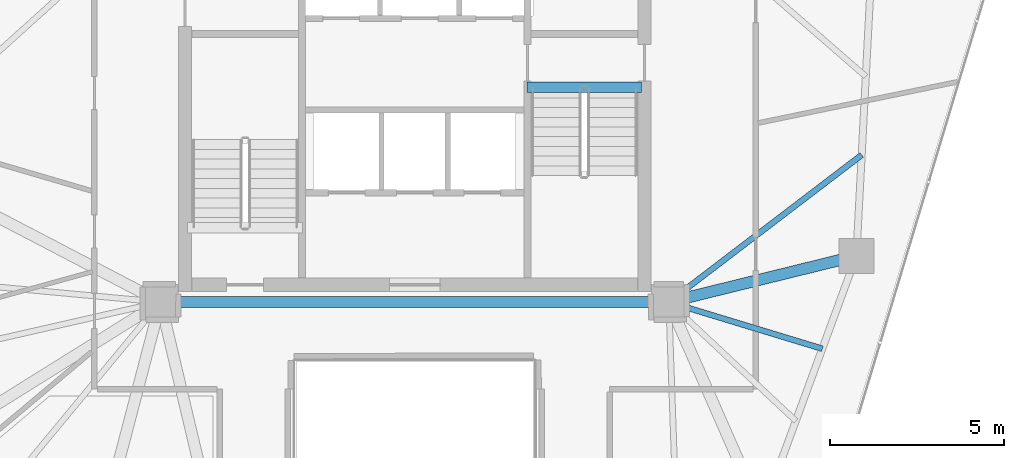
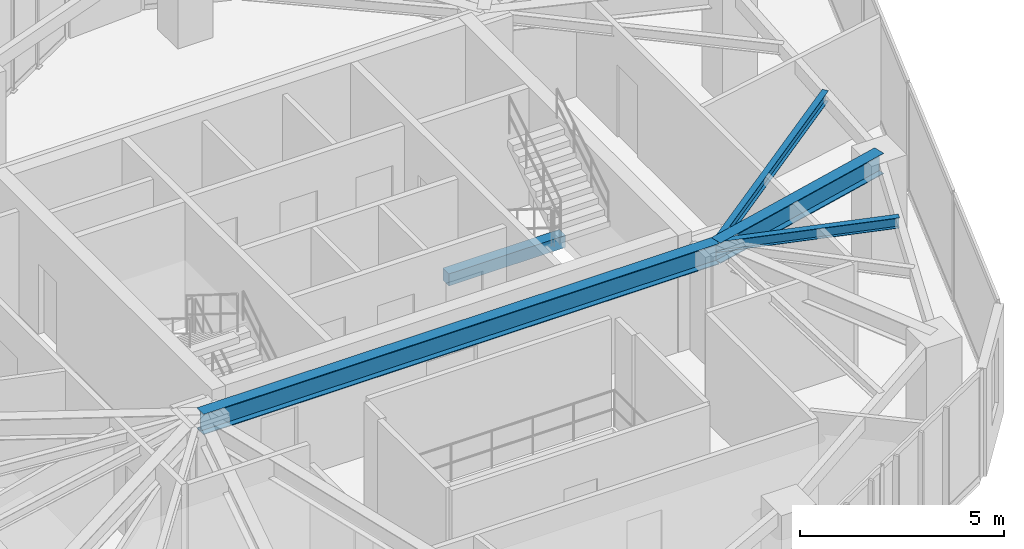
# One storey, part 8 of 19: 5 beams.
"""IFC4 building model written with IfcOpenShell, lengths in metres."""

from ifc_helpers import new_model, si_unit, direction, frame, origin, origin_2d, place, context, subcontext, project, spatial, rectangle, i_section, extrude, material, material_profile, profile_set, type_object, element, save


model = new_model("IFC4")

# Units and contexts
model_context = context("Model", 3, precision=1e-05, world=origin(), true_north=direction((0.0, 1.0)))
body_context = subcontext(model_context, "Body", "Model", "MODEL_VIEW")
ifc_project = project(units=[si_unit("LENGTHUNIT", "METRE"), si_unit("AREAUNIT", "SQUARE_METRE"), si_unit("VOLUMEUNIT", "CUBIC_METRE"), si_unit("PLANEANGLEUNIT", "RADIAN"), si_unit("MASSUNIT", "GRAM", prefix="KILO")], contexts=[model_context])

# Site, building, storey
site_placement = place(None, origin())
site = spatial("IfcSite", under=ifc_project, at=site_placement, CompositionType="ELEMENT")
building_placement = place(site_placement, origin())
building = spatial("IfcBuilding", under=site, at=building_placement, Name="Talar Marvaseh", CompositionType="ELEMENT")
storey_placement = place(building_placement, frame((0.0, 0.0, 177.5)))
storey = spatial("IfcBuildingStorey", under=building, at=storey_placement, Name="L46", CompositionType="ELEMENT", Elevation=177.5)

# Beams
ifc_material_1 = material(Name="Concrete C40/50", Category="concrete")
ifc_material_profile_1 = material_profile(ifc_material_1, rectangle(XDim=0.300048828125, YDim=0.360107421875, at=origin_2d()), Name="RC300x360")
ifc_profile_set_1 = profile_set([ifc_material_profile_1], Name="Concrete C40/50")
beam_type_1 = type_object("IfcBeamType", Name="Concrete Stair Landing Trimmer Beam RC300x360", PredefinedType="SPANDREL", material=ifc_profile_set_1)
beam_1_placement = place(storey_placement, frame((29.219970703125, 31.669921875, -0.179931640625), z_axis=(1.0, 0.0, 0.0), x_axis=(0.0, 1.0, 0.0)))
element("IfcBeam", 1, at=beam_1_placement, inside=storey, type_object=beam_type_1, Name="L46 ST-2 Stair Nosing Trimmer Beam", PredefinedType="SPANDREL", context=body_context, shape_type="SweptSolid", body=[
    extrude(rectangle(XDim=0.300048828125, YDim=0.360107421875, at=origin_2d()), origin(), (0.0, 0.0, 1.0), 3.300048828125),
])
ifc_material_2 = material(Name="Steel S355", Category="steel")
ifc_material_profile_2 = material_profile(ifc_material_2, i_section(OverallWidth=0.324951171875, OverallDepth=0.615966796875, WebThickness=0.013916015625, FlangeThickness=0.021484375, at=origin_2d()), Name="W610x174")
ifc_profile_set_2 = profile_set([ifc_material_profile_2], Name="Steel S355")
beam_type_2 = type_object("IfcBeamType", Name="Zone 3 Radial Floor Girder W610x174", PredefinedType="BEAM", material=ifc_profile_set_2)
beam_2_placement = place(storey_placement, frame((18.699951171875, 25.5, 2.922119140625), z_axis=(1.0, 0.0, 0.0), x_axis=(0.0, 1.0, 0.0)))
element("IfcBeam", 2, at=beam_2_placement, inside=storey, type_object=beam_type_2, Name="L46 Zone 3 Radial Floor Girder W610x174", PredefinedType="BEAM", context=body_context, shape_type="SweptSolid", body=[
    extrude(i_section(OverallWidth=0.324951171875, OverallDepth=0.615966796875, WebThickness=0.013916015625, FlangeThickness=0.021484375, at=origin_2d()), origin(), (0.0, 0.0, 1.0), 14.60009765625),
])
beam_3_placement = place(storey_placement, frame((38.68896484375, 26.823974609375, 2.922119140625), z_axis=(-0.971120507527, -0.238589521692, 0.0), x_axis=(0.238589521692, -0.971120507527, 0.0)))
element("IfcBeam", 3, at=beam_3_placement, inside=storey, type_object=beam_type_2, Name="L46 Zone 3 Radial Floor Girder W610x174", PredefinedType="BEAM", context=body_context, shape_type="SweptSolid", body=[
    extrude(i_section(OverallWidth=0.324951171875, OverallDepth=0.615966796875, WebThickness=0.013916015625, FlangeThickness=0.021484375, at=origin_2d()), origin(), (0.0, 0.0, 1.0), 5.549072265625),
])
ifc_material_profile_3 = material_profile(ifc_material_2, i_section(OverallWidth=0.166015625, OverallDepth=0.31298828125, WebThickness=0.006591796875, FlangeThickness=0.01123046875, at=origin_2d()), Name="W310x45")
ifc_profile_set_3 = profile_set([ifc_material_profile_3], Name="Steel S355")
beam_type_3 = type_object("IfcBeamType", Name="Zone 3 Secondary Floor Joist W310x45", PredefinedType="JOIST", material=ifc_profile_set_3)
beam_4_placement = place(storey_placement, frame((38.841552734375, 29.7255859375, 3.073486328125), z_axis=(-0.795190393297, -0.606359825852, 0.0), x_axis=(0.606359825852, -0.795190393297, 0.0)))
element("IfcBeam", 4, at=beam_4_placement, inside=storey, type_object=beam_type_3, Name="L46 Zone 3 Secondary Floor Joist W310x45", PredefinedType="JOIST", context=body_context, shape_type="SweptSolid", body=[
    extrude(i_section(OverallWidth=0.166015625, OverallDepth=0.31298828125, WebThickness=0.006591796875, FlangeThickness=0.01123046875, at=origin_2d()), origin(), (0.0, 0.0, 1.0), 6.96875),
])
beam_5_placement = place(storey_placement, frame((37.71044921875, 24.15966796875, 3.073486328125), z_axis=(-0.956792465721, 0.290771693153, 0.0), x_axis=(-0.290771693153, -0.956792465721, 0.0)))
element("IfcBeam", 5, at=beam_5_placement, inside=storey, type_object=beam_type_3, Name="L46 Zone 3 Secondary Floor Joist W310x45", PredefinedType="JOIST", context=body_context, shape_type="SweptSolid", body=[
    extrude(i_section(OverallWidth=0.166015625, OverallDepth=0.31298828125, WebThickness=0.006591796875, FlangeThickness=0.01123046875, at=origin_2d()), origin(), (0.0, 0.0, 1.0), 4.609619140625),
])

save(model, "model.ifc")
